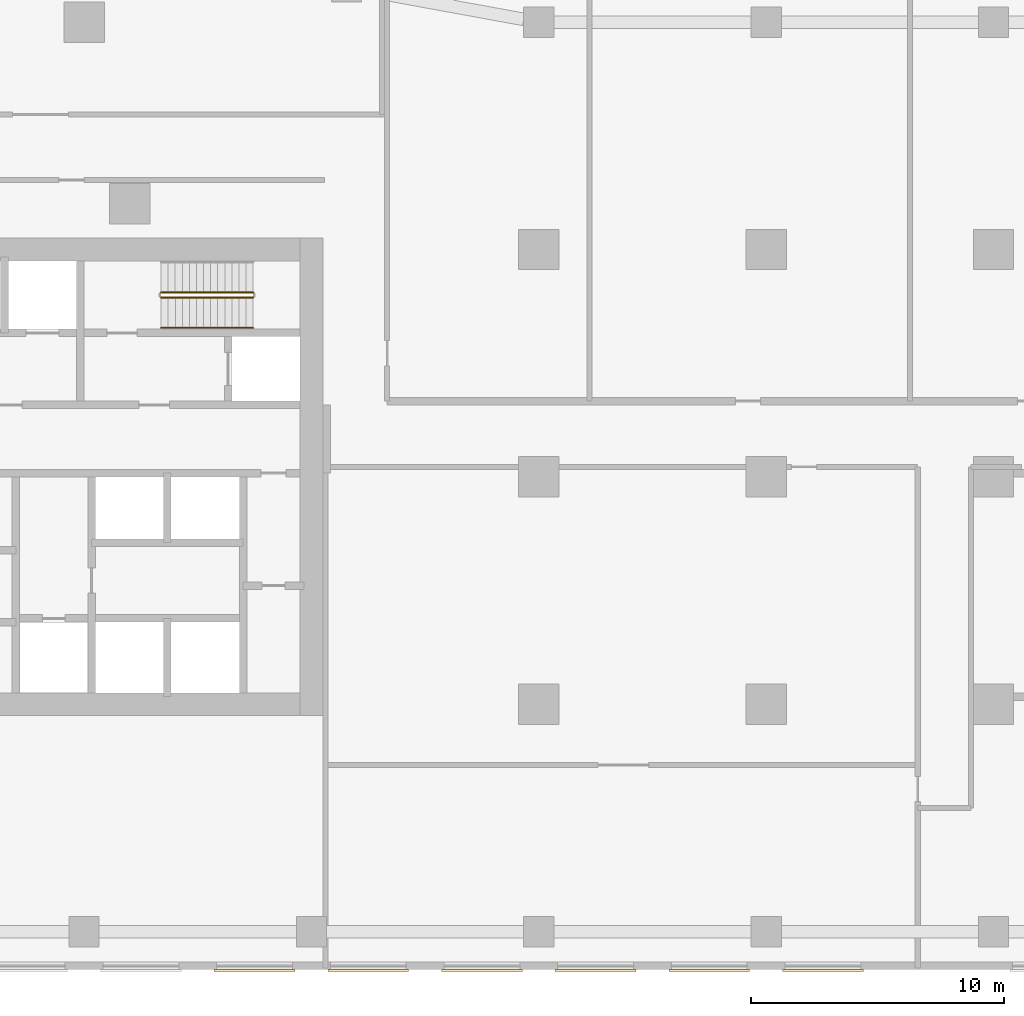
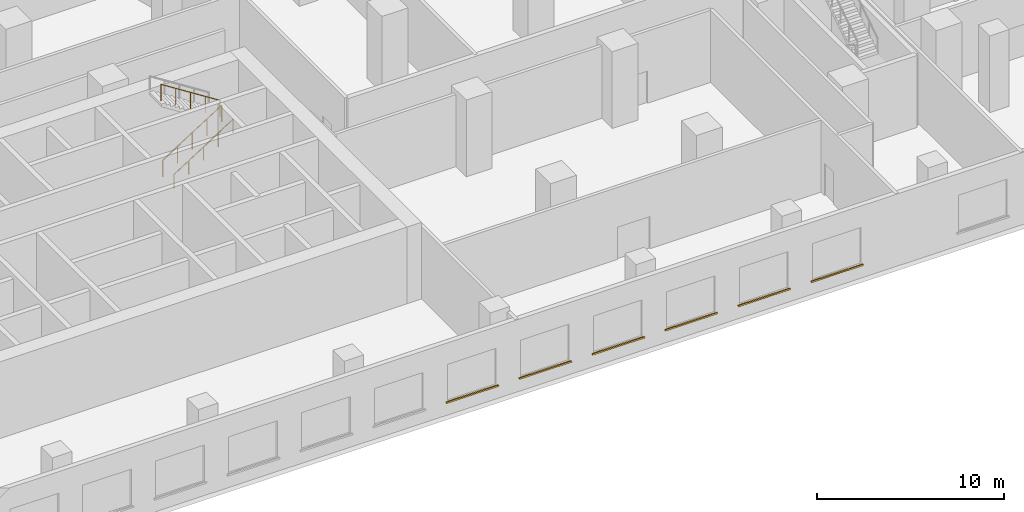
# One storey, part 25 of 35: 6 coverings, 3 railings.
"""IFC4 building model written with IfcOpenShell, lengths in metres."""

from ifc_helpers import new_model, si_unit, direction, frame, origin, origin_2d, place, context, subcontext, project, spatial, rectangle, circle, extrude, material, layer, layer_set, type_object, element, save


model = new_model("IFC4")

# Units and contexts
model_context = context("Model", 3, precision=1e-05, world=origin(), true_north=direction((0.0, 1.0)))
body_context = subcontext(model_context, "Body", "Model", "MODEL_VIEW")
ifc_project = project(units=[si_unit("LENGTHUNIT", "METRE"), si_unit("AREAUNIT", "SQUARE_METRE"), si_unit("VOLUMEUNIT", "CUBIC_METRE"), si_unit("PLANEANGLEUNIT", "RADIAN"), si_unit("MASSUNIT", "GRAM", prefix="KILO")], contexts=[model_context])

# Site, building, storey
site_placement = place(None, origin())
site = spatial("IfcSite", under=ifc_project, at=site_placement, CompositionType="ELEMENT")
building_placement = place(site_placement, origin())
building = spatial("IfcBuilding", under=site, at=building_placement, Name="Ogive Portal Towers", CompositionType="ELEMENT")
storey_placement = place(building_placement, frame((0.0, 0.0, 23.5)))
storey = spatial("IfcBuildingStorey", under=building, at=storey_placement, Name="L04", CompositionType="ELEMENT", Elevation=23.5)

# Railings
ifc_material_1 = material(Name="Stainless steel balustrade", Category="steel")
railing_type_1 = type_object("IfcRailingType", Name="INT-GUARD", PredefinedType="GUARDRAIL", material=ifc_material_1)
railing_1_placement = place(storey_placement, frame((52.550048828125, 37.60009765625, 0.178466796875)))
element("IfcRailing", 1, at=railing_1_placement, inside=storey, type_object=railing_type_1, Name="L04 ST-A2 stair guard 1", PredefinedType="GUARDRAIL", context=body_context, shape_type="SweptSolid", body=[
    extrude(circle(Radius=0.02392578125, at=origin_2d()), frame((0.0, 0.0, 1.076171875), z_axis=(0.843111507901, 0.0, 0.53773877045), x_axis=(0.0, 1.0, 0.0)), (0.0, 0.0, 1.0), 4.317138671875),
    extrude(circle(Radius=0.02099609375, at=origin_2d()), origin(), (0.0, 0.0, 1.0), 1.052001953125),
    extrude(circle(Radius=0.02099609375, at=origin_2d()), frame((0.909912109375, 0.0, 0.580322265625)), (0.0, 0.0, 1.0), 1.052001953125),
    extrude(circle(Radius=0.02099609375, at=origin_2d()), frame((1.81982421875, 0.0, 1.16064453125)), (0.0, 0.0, 1.0), 1.052001953125),
    extrude(circle(Radius=0.02099609375, at=origin_2d()), frame((2.72998046875, 0.0, 1.7412109375)), (0.0, 0.0, 1.0), 1.052001953125),
    extrude(circle(Radius=0.02099609375, at=origin_2d()), frame((3.639892578125, 0.0, 2.321533203125)), (0.0, 0.0, 1.0), 1.052001953125),
])
railing_2_placement = place(storey_placement, frame((56.18994140625, 37.800048828125, 2.678466796875)))
element("IfcRailing", 2, at=railing_2_placement, inside=storey, type_object=railing_type_1, Name="L04 ST-A2 stair guard 3", PredefinedType="GUARDRAIL", context=body_context, shape_type="SweptSolid", body=[
    extrude(circle(Radius=0.02392578125, at=origin_2d()), frame((0.0, 0.0, 1.076171875), z_axis=(-0.843111507901, 0.0, 0.53773877045), x_axis=(0.0, -1.0, 0.0)), (0.0, 0.0, 1.0), 4.317138671875),
    extrude(circle(Radius=0.02099609375, at=origin_2d()), origin(), (0.0, 0.0, 1.0), 1.052001953125),
    extrude(circle(Radius=0.02099609375, at=origin_2d()), frame((-0.909912109375, 0.0, 0.580322265625)), (0.0, 0.0, 1.0), 1.052001953125),
    extrude(circle(Radius=0.02099609375, at=origin_2d()), frame((-1.81982421875, 0.0, 1.16064453125)), (0.0, 0.0, 1.0), 1.052001953125),
    extrude(circle(Radius=0.02099609375, at=origin_2d()), frame((-2.72998046875, 0.0, 1.7412109375)), (0.0, 0.0, 1.0), 1.052001953125),
    extrude(circle(Radius=0.02099609375, at=origin_2d()), frame((-3.639892578125, 0.0, 2.321533203125)), (0.0, 0.0, 1.0), 1.052001953125),
])
ifc_material_2 = material(Name="Stainless steel handrail", Category="steel")
railing_type_2 = type_object("IfcRailingType", Name="INT-HANDRAIL", PredefinedType="HANDRAIL", material=ifc_material_2)
railing_3_placement = place(storey_placement, frame((52.550048828125, 36.39990234375, 0.178466796875)))
element("IfcRailing", 3, at=railing_3_placement, inside=storey, type_object=railing_type_2, Name="L04 ST-A2 stair handrail 1", PredefinedType="HANDRAIL", context=body_context, shape_type="SweptSolid", body=[
    extrude(circle(Radius=0.02392578125, at=origin_2d()), frame((0.0, 0.0, 0.8759765625), z_axis=(0.843111507901, 0.0, 0.53773877045), x_axis=(0.0, 1.0, 0.0)), (0.0, 0.0, 1.0), 4.317138671875),
    extrude(circle(Radius=0.02099609375, at=origin_2d()), origin(), (0.0, 0.0, 1.0), 0.851806640625),
    extrude(circle(Radius=0.02099609375, at=origin_2d()), frame((0.909912109375, 0.0, 0.580322265625)), (0.0, 0.0, 1.0), 0.851806640625),
    extrude(circle(Radius=0.02099609375, at=origin_2d()), frame((1.81982421875, 0.0, 1.16064453125)), (0.0, 0.0, 1.0), 0.851806640625),
    extrude(circle(Radius=0.02099609375, at=origin_2d()), frame((2.72998046875, 0.0, 1.7412109375)), (0.0, 0.0, 1.0), 0.851806640625),
    extrude(circle(Radius=0.02099609375, at=origin_2d()), frame((3.639892578125, 0.0, 2.321533203125)), (0.0, 0.0, 1.0), 0.851806640625),
])

# Coverings
ifc_material_3 = material(Name="Limestone cladding on lightweight block wall", Category="masonry")
ifc_layer = layer(ifc_material_3, 0.080078125)
ifc_layer_set = layer_set([ifc_layer], Name="STONE SILL 80")
covering_type = type_object("IfcCoveringType", Name="STONE SILL 80", PredefinedType="CLADDING", material=ifc_layer_set)
for number, where, z_axis, x_axis, name in (
    (4, (56.25, 10.9599609375, 0.840087890625), (0.0, 0.0, 1.0), (1.0, 0.0, 0.0), "Stone sill"),
    (5, (60.75, 10.9599609375, 0.840087890625), (0.0, 0.0, 1.0), (1.0, 0.0, 0.0), "Stone sill"),
    (6, (65.25, 10.9599609375, 0.840087890625), (0.0, 0.0, 1.0), (1.0, 0.0, 0.0), "Stone sill"),
    (7, (69.75, 10.9599609375, 0.840087890625), (0.0, 0.0, 1.0), (1.0, 0.0, 0.0), "Stone sill"),
    (8, (74.25, 10.9599609375, 0.840087890625), (0.0, 0.0, 1.0), (1.0, 0.0, 0.0), "Stone sill"),
    (9, (78.75, 10.9599609375, 0.840087890625), (0.0, 0.0, 1.0), (1.0, 0.0, 0.0), "Stone sill"),
):
    element("IfcCovering", number, at=place(storey_placement, frame(where, z_axis=z_axis, x_axis=x_axis)), inside=storey, type_object=covering_type, Name=name, PredefinedType="CLADDING", context=body_context, shape_type="SweptSolid", body=[
        extrude(rectangle(XDim=3.199951171875, YDim=0.080078125, at=origin_2d()), origin(), (0.0, 0.0, 1.0), 0.06005859375),
    ])

save(model, "model.ifc")
